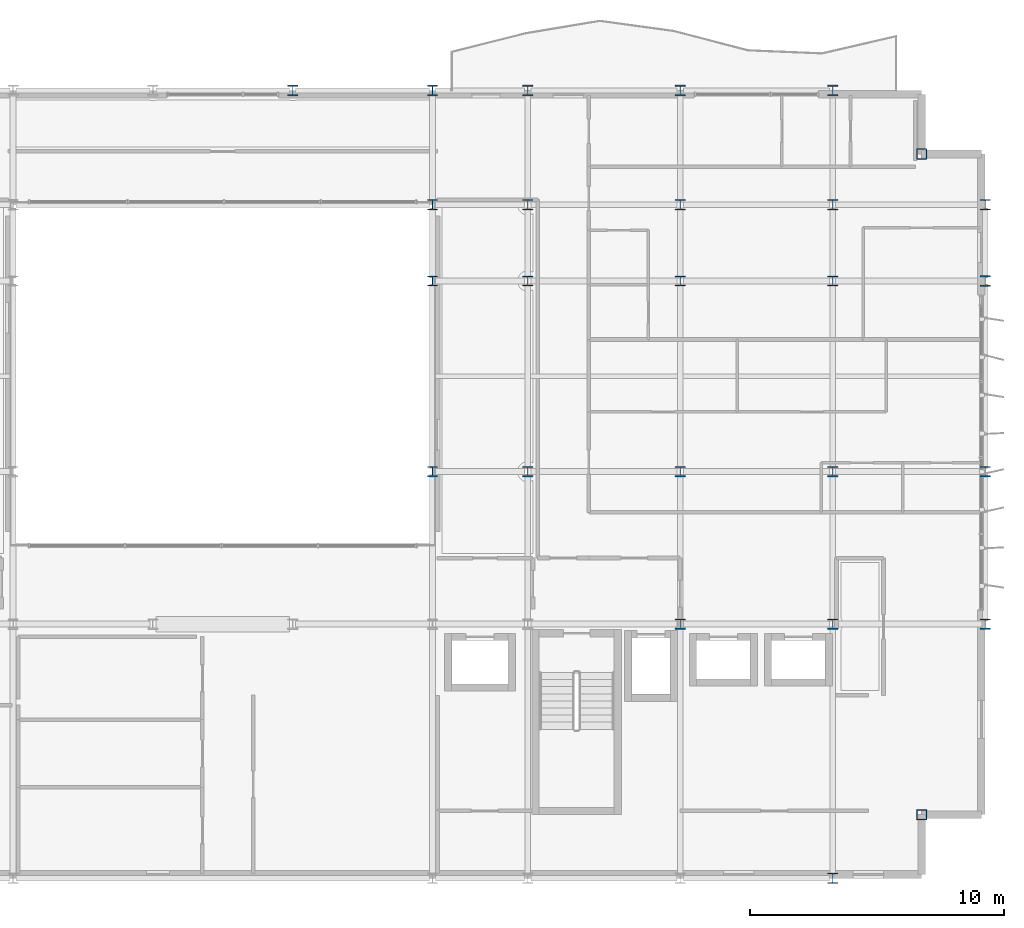
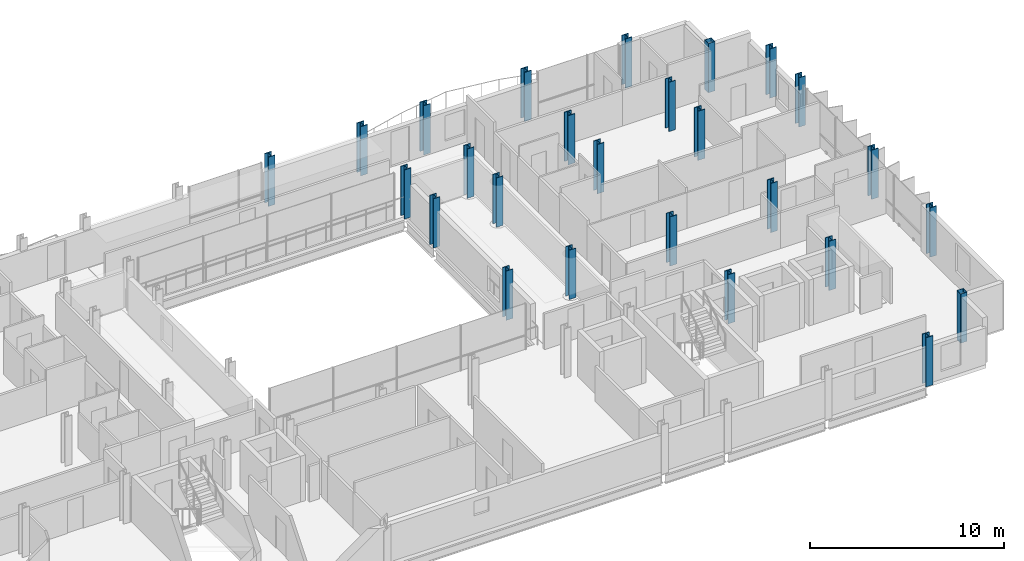
# One storey, part 2 of 38: 26 columns.
"""IFC4 building model written with IfcOpenShell, lengths in metres."""

import ifcopenshell
import ifcopenshell.guid

model = None  # the IFC model being written
_history = None  # IfcOwnerHistory: only IFC2X3 demands one
_inside = {}  # id of a spatial element -> (the spatial element, [elements in it])
_under = {}  # id of a project, library or spatial element -> (it, [spatial elements below it])
_declared = {}  # id of a project -> (the project, [libraries it declares])
_typed = {}  # id of a type object -> (the type object, [elements of that type])
_made_of = {}  # id of a material, layer set ... -> (it, [elements and type objects made of it])


def new_model(schema):
    """Start an empty IFC model of exactly this schema.

    Asked for "IFC4X3", IfcOpenShell would pick the latest addendum, in which some entities
    have other attributes; the version numbers below select the first issue.
    IFC2X3 requires an IfcOwnerHistory on every rooted entity: one is made here for all.
    """
    global model, _history
    if schema == "IFC4X3":
        model = ifcopenshell.file(schema_version=(4, 3, 0, 0))
    else:
        model = ifcopenshell.file(schema=schema)
    _inside.clear()
    _under.clear()
    _declared.clear()
    _typed.clear()
    _made_of.clear()
    _history = None
    if model.schema == "IFC2X3":
        org = make("IfcOrganization", Name="unknown")
        user = make(
            "IfcPersonAndOrganization",
            ThePerson=make("IfcPerson", FamilyName="unknown"),
            TheOrganization=org,
        )
        app = make(
            "IfcApplication",
            ApplicationDeveloper=org,
            Version="unknown",
            ApplicationFullName="unknown",
            ApplicationIdentifier="unknown",
        )
        _history = make(
            "IfcOwnerHistory",
            OwningUser=user,
            OwningApplication=app,
            ChangeAction="ADDED",
            CreationDate=0,
        )
    return model


def make(cls, **values):
    """One entity of the class cls with the attributes given. An attribute that is None is left unset."""
    return model.create_entity(
        cls, **{name: value for name, value in values.items() if value is not None}
    )


def rooted(cls, **values):
    """An entity with a GlobalId (a new one), such as an element, a storey or a relation."""
    return make(cls, GlobalId=ifcopenshell.guid.new(), OwnerHistory=_history, **values)


def si_unit(unit_type, name, prefix=None):
    """IfcSIUnit, for example si_unit("LENGTHUNIT", "METRE", prefix="MILLI")."""
    return make("IfcSIUnit", UnitType=unit_type, Prefix=prefix, Name=name)


def assignment(units):
    """IfcUnitAssignment: the units of a project."""
    return None if units is None else make("IfcUnitAssignment", Units=units)


def point(xyz):
    """IfcCartesianPoint."""
    return None if xyz is None else make("IfcCartesianPoint", Coordinates=xyz)


def direction(xyz):
    """IfcDirection."""
    return None if xyz is None else make("IfcDirection", DirectionRatios=xyz)


def frame(location, z_axis=None, x_axis=None):
    """IfcAxis2Placement3D, a coordinate frame: its origin and axes. An axis left out is left unset."""
    return make(
        "IfcAxis2Placement3D",
        Location=point(location),
        Axis=direction(z_axis),
        RefDirection=direction(x_axis),
    )


def frame_2d(location, x_axis=None):
    """IfcAxis2Placement2D, a coordinate frame in the plane: its origin and x axis."""
    return make(
        "IfcAxis2Placement2D", Location=point(location), RefDirection=direction(x_axis)
    )


def origin():
    """The frame at (0, 0, 0) with its axes left unset."""
    return frame((0.0, 0.0, 0.0))


def origin_2d():
    """The frame at (0, 0) in the plane with its x axis left unset."""
    return frame_2d((0.0, 0.0))


def place(relative_to, where):
    """IfcLocalPlacement: puts the frame where relative to a parent placement (None: the world)."""
    return make(
        "IfcLocalPlacement", PlacementRelTo=relative_to, RelativePlacement=where
    )


def context(
    kind, dimensions, precision=None, world=None, true_north=None, identifier=None
):
    """IfcGeometricRepresentationContext, for example the 3D "Model" context."""
    return make(
        "IfcGeometricRepresentationContext",
        ContextIdentifier=identifier,
        ContextType=kind,
        CoordinateSpaceDimension=dimensions,
        Precision=precision,
        WorldCoordinateSystem=world,
        TrueNorth=true_north,
    )


def subcontext(parent, identifier, kind, view, scale=None):
    """IfcGeometricRepresentationSubContext, for example "Body" below "Model"."""
    return make(
        "IfcGeometricRepresentationSubContext",
        ContextIdentifier=identifier,
        ContextType=kind,
        ParentContext=parent,
        TargetScale=scale,
        TargetView=view,
    )


def project(units=None, contexts=None):
    """IfcProject with its units and contexts."""
    return rooted(
        "IfcProject",
        Name="project",
        RepresentationContexts=contexts,
        UnitsInContext=assignment(units),
    )


def spatial(cls, under=None, at=None, **own):
    """A site, building, storey or space (cls), placed at a placement, below another one or the project."""
    s = rooted(cls, ObjectPlacement=at, **own)
    if under is not None:
        _under.setdefault(under.id(), (under, []))[1].append(s)
    return s


def profile(cls, at=None, kind="AREA", **sizes):
    """A parametric profile (cls). Its sizes go by their IFC names, for example OverallWidth=200.0."""
    return make(cls, ProfileType=kind, Position=at, **sizes)


def hollow_rectangle(**sizes):
    """IfcRectangleHollowProfileDef."""
    return profile("IfcRectangleHollowProfileDef", **sizes)


def i_section(**sizes):
    """IfcIShapeProfileDef."""
    return profile("IfcIShapeProfileDef", **sizes)


def extrude(swept, where, along, depth):
    """IfcExtrudedAreaSolid: the profile swept, set in the frame where, extruded along a direction by depth."""
    return make(
        "IfcExtrudedAreaSolid",
        SweptArea=swept,
        Position=where,
        ExtrudedDirection=direction(along),
        Depth=depth,
    )


def shape(context_of_items, identifier, shape_type, items):
    """IfcShapeRepresentation: the items that make up one representation, for example the "Body"."""
    return make(
        "IfcShapeRepresentation",
        ContextOfItems=context_of_items,
        RepresentationIdentifier=identifier,
        RepresentationType=shape_type,
        Items=items,
    )


def material(Name=None, Category=None):
    """IfcMaterial."""
    return make("IfcMaterial", Name=Name, Category=Category)


def material_profile(
    of_material, cross_section, Name=None, Category=None, Priority=None
):
    """IfcMaterialProfile: a cross section and its material."""
    return make(
        "IfcMaterialProfile",
        Name=Name,
        Material=of_material,
        Profile=cross_section,
        Priority=Priority,
        Category=Category,
    )


def profile_set(profiles, Name=None, composite=None):
    """IfcMaterialProfileSet."""
    return make(
        "IfcMaterialProfileSet",
        Name=Name,
        MaterialProfiles=profiles,
        CompositeProfile=composite,
    )


def made_of(thing, what):
    """Note that an element or type object is made of a material, layer set ...; save() writes the relation."""
    if what is not None:
        _made_of.setdefault(what.id(), (what, []))[1].append(thing)
    return thing


def type_object(cls, material=None, **own):
    """A type object (cls), such as IfcWallType, which elements share."""
    return made_of(rooted(cls, **own), material)


def element(
    cls,
    number,
    at=None,
    inside=None,
    cuts=None,
    type_object=None,
    material=None,
    context=None,
    identifier="Body",
    shape_type=None,
    held_by="IfcProductDefinitionShape",
    body=None,
    shapes=None,
    **own,
):
    """One element of the class cls, such as IfcWall. Its Tag is "e" and its number.

    at: its placement. inside: the storey or other place that contains it. cuts: it is an
    opening in that element (IfcRelVoidsElement). A single representation is given by context,
    identifier, shape_type and body (its items); several are given by shapes. held_by: the class
    of the entity that holds the representations. save() writes the other relations.
    """
    e = rooted(cls, Tag="e%d" % number, ObjectPlacement=at, **own)
    if body is not None:
        shapes = [shape(context, identifier, shape_type, body)]
    if shapes is not None:
        e.Representation = make(held_by, Representations=shapes)
    if inside is not None:
        _inside.setdefault(inside.id(), (inside, []))[1].append(e)
    if cuts is not None:
        rooted(
            "IfcRelVoidsElement", RelatingBuildingElement=cuts, RelatedOpeningElement=e
        )
    if type_object is not None:
        _typed.setdefault(type_object.id(), (type_object, []))[1].append(e)
    return made_of(e, material)


def aggregate(whole, parts):
    """IfcRelAggregates: a whole, such as a stair, and the parts it consists of."""
    return rooted("IfcRelAggregates", RelatingObject=whole, RelatedObjects=parts)


def save(model, path):
    """Write the relations noted so far, then the file.

    IfcRelAggregates (storeys below a building ...), IfcRelContainedInSpatialStructure (elements
    in a storey), IfcRelDefinesByType, IfcRelAssociatesMaterial and IfcRelDeclares: one each for
    every whole, place, type object, material and project.
    """
    for whole, parts in _under.values():
        aggregate(whole, parts)
    for where, things in _inside.values():
        rooted(
            "IfcRelContainedInSpatialStructure",
            RelatedElements=things,
            RelatingStructure=where,
        )
    for kind, things in _typed.values():
        rooted("IfcRelDefinesByType", RelatedObjects=things, RelatingType=kind)
    for what, things in _made_of.values():
        rooted("IfcRelAssociatesMaterial", RelatedObjects=things, RelatingMaterial=what)
    for by, libraries in _declared.values():
        rooted("IfcRelDeclares", RelatingContext=by, RelatedDefinitions=libraries)
    model.write(path)


model = new_model("IFC4")

# Units and contexts
model_context = context("Model", 3, precision=1e-05, world=origin(), true_north=direction((0.0, 1.0)))
body_context = subcontext(model_context, "Body", "Model", "MODEL_VIEW")
ifc_project = project(units=[si_unit("LENGTHUNIT", "METRE"), si_unit("AREAUNIT", "SQUARE_METRE"), si_unit("VOLUMEUNIT", "CUBIC_METRE"), si_unit("PLANEANGLEUNIT", "RADIAN"), si_unit("MASSUNIT", "GRAM", prefix="KILO")], contexts=[model_context])

# Site, building, storey
site_placement = place(None, origin())
site = spatial("IfcSite", under=ifc_project, at=site_placement, CompositionType="ELEMENT")
building_placement = place(site_placement, origin())
building = spatial("IfcBuilding", under=site, at=building_placement, Name="Brevholm Reach", CompositionType="ELEMENT")
storey_placement = place(building_placement, frame((0.0, 0.0, 141.800048828125)))
storey = spatial("IfcBuildingStorey", under=building, at=storey_placement, Name="L42", CompositionType="ELEMENT", Elevation=141.800048828125)

# Columns
ifc_material_1 = material(Name="Structural Steel S460NH", Category="steel")
ifc_material_profile_1 = material_profile(ifc_material_1, hollow_rectangle(XDim=0.39990234375, YDim=0.39990234375, WallThickness=0.02001953125, InnerFilletRadius=0.011962890625, OuterFilletRadius=0.02392578125, at=origin_2d()), Name="SHS 400x400x20")
ifc_profile_set_1 = profile_set([ifc_material_profile_1], Name="Structural Steel S460NH")
column_type_1 = type_object("IfcColumnType", Name="COL-SHS2", PredefinedType="COLUMN", material=ifc_profile_set_1)
for number, where, z_axis, x_axis, name in (
    (1, (57.5, 2.5, 0.0), (0.0, 0.0, 1.0), (1.0, 0.0, 0.0), "L42 Column 59"),
    (2, (57.5, 28.5, 0.0), (0.0, 0.0, 1.0), (1.0, 0.0, 0.0), "L42 Column 60"),
):
    element("IfcColumn", number, at=place(storey_placement, frame(where, z_axis=z_axis, x_axis=x_axis)), inside=storey, type_object=column_type_1, Name=name, PredefinedType="COLUMN", context=body_context, shape_type="SweptSolid", body=[
        extrude(hollow_rectangle(XDim=0.39990234375, YDim=0.39990234375, WallThickness=0.02001953125, InnerFilletRadius=0.011962890625, OuterFilletRadius=0.02392578125, at=origin_2d()), origin(), (0.0, 0.0, 1.0), 3.099853515625),
    ])
ifc_material_2 = material(Name="Structural Steel S355J2", Category="steel")
ifc_material_profile_2 = material_profile(ifc_material_2, i_section(OverallWidth=0.406982421875, OverallDepth=0.4189453125, WebThickness=0.030517578125, FlangeThickness=0.04931640625, FilletRadius=0.01513671875, at=origin_2d()), Name="UKC 356x406x393")
ifc_profile_set_2 = profile_set([ifc_material_profile_2], Name="Structural Steel S355J2")
column_type_2 = type_object("IfcColumnType", Name="COL-UC4", PredefinedType="COLUMN", material=ifc_profile_set_2)
for number, where, z_axis, x_axis, name in (
    (3, (32.75, 31.0, 0.0), (0.0, 0.0, 1.0), (1.0, 0.0, 0.0), "L42 Column 34"),
    (4, (38.25, 31.0, 0.0), (0.0, 0.0, 1.0), (1.0, 0.0, 0.0), "L42 Column 40"),
    (5, (42.0, 31.0, 0.0), (0.0, 0.0, 1.0), (1.0, 0.0, 0.0), "L42 Column 46"),
    (6, (48.0, 31.0, 0.0), (0.0, 0.0, 1.0), (1.0, 0.0, 0.0), "L42 Column 52"),
    (7, (54.0, 0.0, 0.0), (0.0, 0.0, 1.0), (1.0, 0.0, 0.0), "L42 Column 53"),
    (8, (54.0, 31.0, 0.0), (0.0, 0.0, 1.0), (1.0, 0.0, 0.0), "L42 Column 58"),
    (9, (60.0, 10.0, 0.0), (0.0, 0.0, 1.0), (1.0, 0.0, 0.0), "L42 Column 61"),
    (10, (60.0, 16.0, 0.0), (0.0, 0.0, 1.0), (1.0, 0.0, 0.0), "L42 Column 62"),
    (11, (60.0, 23.5, 0.0), (0.0, 0.0, 1.0), (1.0, 0.0, 0.0), "L42 Column 63"),
    (12, (60.0, 26.5, 0.0), (0.0, 0.0, 1.0), (1.0, 0.0, 0.0), "L42 Column 64"),
):
    element("IfcColumn", number, at=place(storey_placement, frame(where, z_axis=z_axis, x_axis=x_axis)), inside=storey, type_object=column_type_2, Name=name, PredefinedType="COLUMN", context=body_context, shape_type="SweptSolid", body=[
        extrude(i_section(OverallWidth=0.406982421875, OverallDepth=0.4189453125, WebThickness=0.030517578125, FlangeThickness=0.04931640625, FilletRadius=0.01513671875, at=origin_2d()), origin(), (0.0, 0.0, 1.0), 3.099853515625),
    ])
ifc_material_3 = material(Name="Structural Steel S355J2", Category="steel")
ifc_material_profile_3 = material_profile(ifc_material_3, i_section(OverallWidth=0.403076171875, OverallDepth=0.406494140625, WebThickness=0.026611328125, FlangeThickness=0.04296875, FilletRadius=0.01513671875, at=origin_2d()), Name="UKC 356x406x340")
ifc_profile_set_3 = profile_set([ifc_material_profile_3], Name="Structural Steel S355J2")
column_type_3 = type_object("IfcColumnType", Name="COL-UC5", PredefinedType="COLUMN", material=ifc_profile_set_3)
for number, where, z_axis, x_axis, name in (
    (13, (38.25, 16.0, 0.0), (0.0, 0.0, 1.0), (1.0, 0.0, 0.0), "L42 Column 37"),
    (14, (38.25, 23.5, 0.0), (0.0, 0.0, 1.0), (1.0, 0.0, 0.0), "L42 Column 38"),
    (15, (38.25, 26.5, 0.0), (0.0, 0.0, 1.0), (1.0, 0.0, 0.0), "L42 Column 39"),
    (16, (42.0, 16.0, 0.0), (0.0, 0.0, 1.0), (1.0, 0.0, 0.0), "L42 Column 43"),
    (17, (42.0, 23.5, 0.0), (0.0, 0.0, 1.0), (1.0, 0.0, 0.0), "L42 Column 44"),
    (18, (42.0, 26.5, 0.0), (0.0, 0.0, 1.0), (1.0, 0.0, 0.0), "L42 Column 45"),
    (19, (48.0, 10.0, 0.0), (0.0, 0.0, 1.0), (1.0, 0.0, 0.0), "L42 Column 48"),
    (20, (48.0, 16.0, 0.0), (0.0, 0.0, 1.0), (1.0, 0.0, 0.0), "L42 Column 49"),
    (21, (48.0, 23.5, 0.0), (0.0, 0.0, 1.0), (1.0, 0.0, 0.0), "L42 Column 50"),
    (22, (48.0, 26.5, 0.0), (0.0, 0.0, 1.0), (1.0, 0.0, 0.0), "L42 Column 51"),
    (23, (54.0, 10.0, 0.0), (0.0, 0.0, 1.0), (1.0, 0.0, 0.0), "L42 Column 54"),
    (24, (54.0, 16.0, 0.0), (0.0, 0.0, 1.0), (1.0, 0.0, 0.0), "L42 Column 55"),
    (25, (54.0, 23.5, 0.0), (0.0, 0.0, 1.0), (1.0, 0.0, 0.0), "L42 Column 56"),
    (26, (54.0, 26.5, 0.0), (0.0, 0.0, 1.0), (1.0, 0.0, 0.0), "L42 Column 57"),
):
    element("IfcColumn", number, at=place(storey_placement, frame(where, z_axis=z_axis, x_axis=x_axis)), inside=storey, type_object=column_type_3, Name=name, PredefinedType="COLUMN", context=body_context, shape_type="SweptSolid", body=[
        extrude(i_section(OverallWidth=0.403076171875, OverallDepth=0.406494140625, WebThickness=0.026611328125, FlangeThickness=0.04296875, FilletRadius=0.01513671875, at=origin_2d()), origin(), (0.0, 0.0, 1.0), 3.099853515625),
    ])

save(model, "model.ifc")
